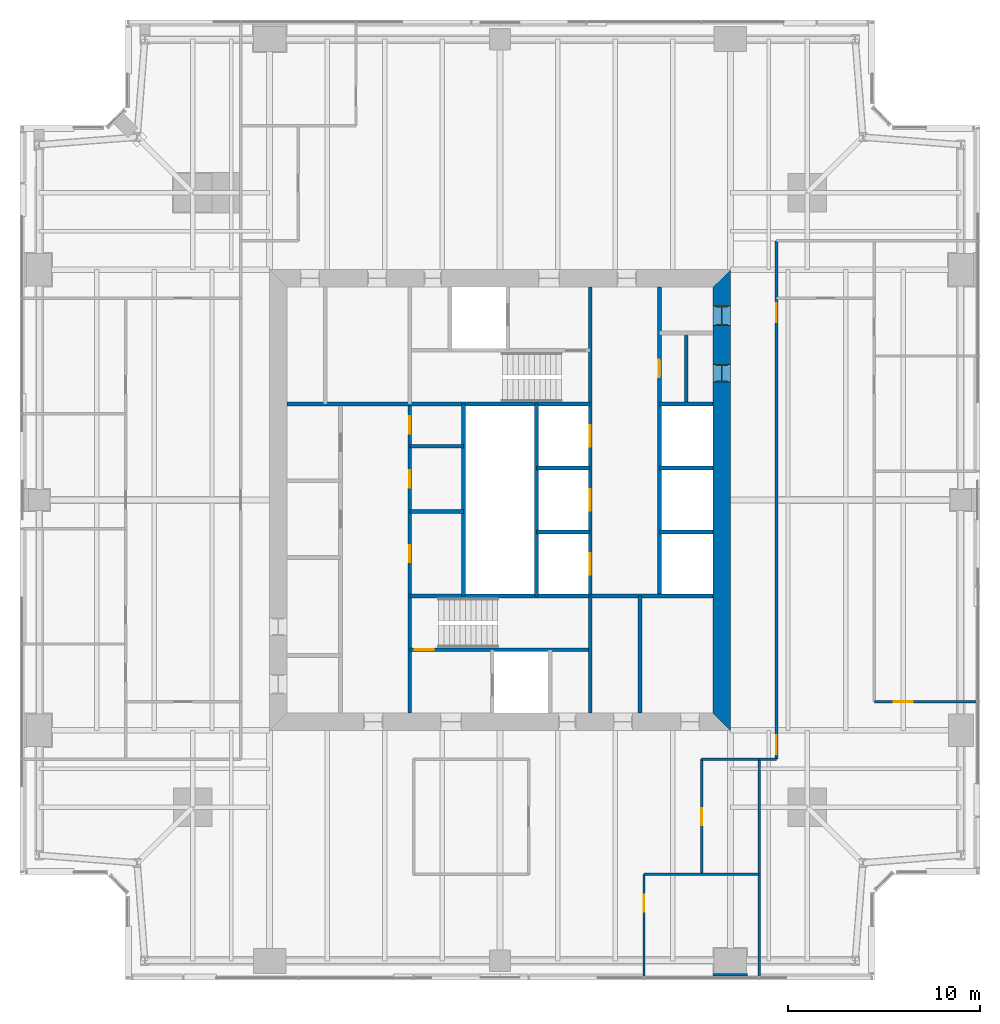
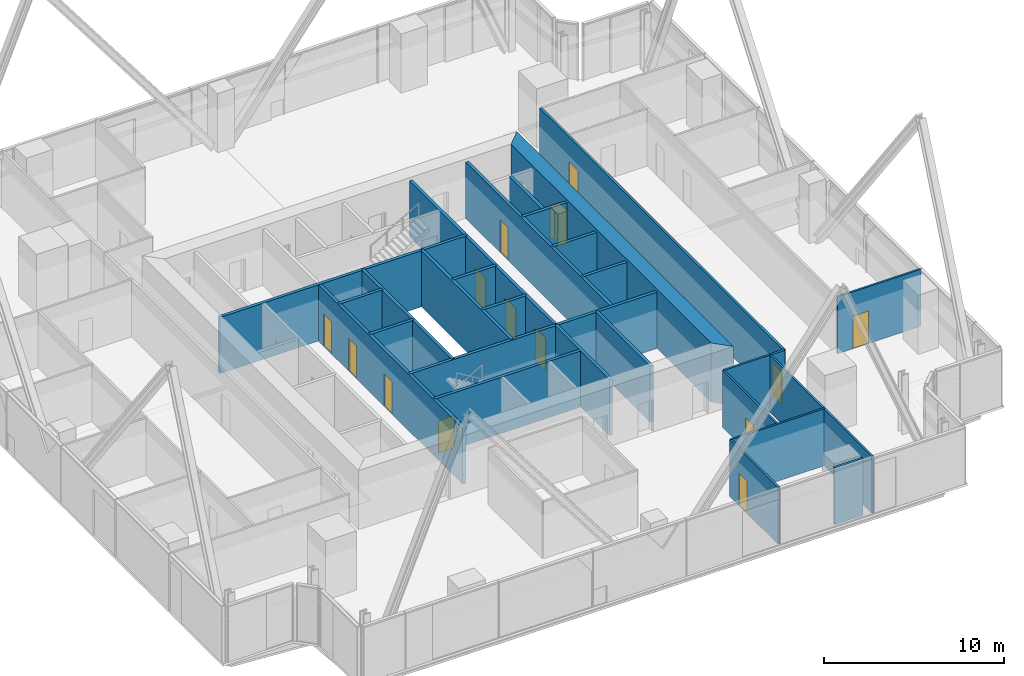
# One storey, part 10 of 14: 28 walls, 15 doors, 15 openings.
"""IFC4 building model written with IfcOpenShell, lengths in metres."""

from ifc_helpers import new_model, si_unit, direction, frame, frame_2d, origin, place, context, subcontext, project, spatial, polyline, rectangle, outline, extrude, material, layer, layer_set, type_object, element, fill, save


model = new_model("IFC4")

# Units and contexts
model_context = context("Model", 3, precision=1e-05, world=origin(), true_north=direction((0.0, 1.0)))
body_context = subcontext(model_context, "Body", "Model", "MODEL_VIEW")
ifc_project = project(units=[si_unit("LENGTHUNIT", "METRE"), si_unit("AREAUNIT", "SQUARE_METRE"), si_unit("VOLUMEUNIT", "CUBIC_METRE"), si_unit("PLANEANGLEUNIT", "RADIAN"), si_unit("MASSUNIT", "GRAM", prefix="KILO")], contexts=[model_context])

# Site, building, storey
site_placement = place(None, origin())
site = spatial("IfcSite", under=ifc_project, at=site_placement, CompositionType="ELEMENT")
building_placement = place(site_placement, origin())
building = spatial("IfcBuilding", under=site, at=building_placement, Name="Fenwick Lantern Interchange", CompositionType="ELEMENT")
storey_placement = place(building_placement, frame((0.0, 0.0, 217.800048828125)))
storey = spatial("IfcBuildingStorey", under=building, at=storey_placement, Name="L51", CompositionType="ELEMENT", Elevation=217.800048828125)

# Walls
ifc_material_1 = material(Name="Fire-rated gypsum board encasement on steel studs, 2 hour", Category="steel")
ifc_layer_1 = layer(ifc_material_1, 1.800048828125)
ifc_layer_set_1 = layer_set([ifc_layer_1], Name="COLUMN PIER 1800")
wall_type_1 = type_object("IfcWallType", Name="COLUMN PIER 1800", PredefinedType="PARTITIONING", material=ifc_layer_set_1)
wall_1_placement = place(storey_placement, frame((37.0, 0.199951171875, 0.0), z_axis=(0.0, 0.0, 1.0), x_axis=(0.0, 1.0, 0.0)))
element("IfcWall", 1, at=wall_1_placement, inside=storey, type_object=wall_type_1, Name="L51/W/PIER/CS4", PredefinedType="PARTITIONING", context=body_context, shape_type="SweptSolid", body=[
    extrude(rectangle(XDim=0.150146484375, YDim=1.800048828125, at=frame_2d((0.0751953125, 0.0))), origin(), (0.0, 0.0, 1.0), 3.849853515625),
])
ifc_material_2 = material(Name="Concrete masonry ASTM C90 Grade N", Category="masonry")
ifc_layer_2 = layer(ifc_material_2, 0.199951171875)
ifc_layer_set_2 = layer_set([ifc_layer_2], Name="Concrete masonry ASTM C90 Grade N")
wall_type_2 = type_object("IfcWallType", Name="CORE PARTITION 200", PredefinedType="PARTITIONING", material=ifc_layer_set_2)
wall_2_placement = place(storey_placement, frame((23.10009765625, 20.0, 0.0), z_axis=(0.0, 0.0, 1.0), x_axis=(0.0, 1.0, 0.0)))
element("IfcWall", 2, at=wall_2_placement, inside=storey, type_object=wall_type_2, Name="L51/W/CORES/e3", PredefinedType="PARTITIONING", context=body_context, shape_type="SweptSolid", body=[
    extrude(rectangle(XDim=10.0, YDim=0.199951171875, at=frame_2d((5.0, 0.0))), origin(), (0.0, 0.0, 1.0), 3.800048828125),
])
wall_3_placement = place(storey_placement, frame((32.300048828125, 13.89990234375, 0.0), z_axis=(0.0, 0.0, 1.0), x_axis=(0.0, 1.0, 0.0)))
element("IfcWall", 3, at=wall_3_placement, inside=storey, type_object=wall_type_2, Name="L51/W/CORES/i2", PredefinedType="PARTITIONING", context=body_context, shape_type="SweptSolid", body=[
    extrude(rectangle(XDim=6.10009765625, YDim=0.199951171875, at=frame_2d((3.050048828125, 0.0))), origin(), (0.0, 0.0, 1.0), 3.800048828125),
])
for number, where, z_axis, x_axis, name in (
    (4, (20.300048828125, 24.39990234375, 0.0), (0.0, 0.0, 1.0), (1.0, 0.0, 0.0), "L51/W/CORES/q1"),
    (5, (20.300048828125, 27.800048828125, 0.0), (0.0, 0.0, 1.0), (1.0, 0.0, 0.0), "L51/W/CORES/q2"),
):
    element("IfcWall", number, at=place(storey_placement, frame(where, z_axis=z_axis, x_axis=x_axis)), inside=storey, type_object=wall_type_2, Name=name, PredefinedType="PARTITIONING", context=body_context, shape_type="SweptSolid", body=[
        extrude(rectangle(XDim=2.800048828125, YDim=0.199951171875, at=frame_2d((1.39990234375, 0.0))), origin(), (0.0, 0.0, 1.0), 3.800048828125),
    ])

# Wall, opening, door
wall_4_placement = place(storey_placement, frame((33.300048828125, 36.10009765625, 0.0), z_axis=(0.0, 0.0, 1.0), x_axis=(0.0, -1.0, 0.0)))
wall_4 = element("IfcWall", 6, at=wall_4_placement, inside=storey, type_object=wall_type_2, Name="L51/W/COREN/a", PredefinedType="PARTITIONING", context=body_context, shape_type="SweptSolid", body=[
    extrude(rectangle(XDim=16.10009765625, YDim=0.199951171875, at=frame_2d((8.050048828125, 0.0))), origin(), (0.0, 0.0, 1.0), 3.800048828125),
])
opening_1_placement = place(wall_4_placement, frame((3.800048828125, 0.0, 0.0)))
opening_1 = element("IfcOpeningElement", 7, at=opening_1_placement, cuts=wall_4, Name="Opening L51-D021", PredefinedType="OPENING", context=body_context, shape_type="SweptSolid", body=[
    extrude(rectangle(XDim=0.89990234375, YDim=2.199951171875, at=frame_2d((0.449951171875, 1.10009765625))), frame((0.0, 0.10986328125, 0.0), z_axis=(0.0, -1.0, 0.0), x_axis=(1.0, 0.0, 0.0)), (0.0, 0.0, 1.0), 0.219970703125),
])
ifc_material_3 = material(Name="Steel door and frame", Category="steel")
door_type_1 = type_object("IfcDoorType", Name="SERVICE DOOR 900 X 2200", OperationType="SINGLE_SWING_LEFT", PredefinedType="DOOR", material=ifc_material_3)
door_1_placement = place(opening_1_placement, origin())
door_1 = element("IfcDoor", 8, at=door_1_placement, inside=storey, type_object=door_type_1, Name="Service door", OperationType="SINGLE_SWING_LEFT", OverallHeight=2.199951171875, OverallWidth=0.89990234375, PredefinedType="DOOR", context=body_context, shape_type="SweptSolid", body=[
    extrude(rectangle(XDim=0.89990234375, YDim=2.199951171875, at=frame_2d((0.449951171875, 1.10009765625))), frame((0.0, 0.02490234375, 0.0), z_axis=(0.0, -1.0, 0.0), x_axis=(1.0, 0.0, 0.0)), (0.0, 0.0, 1.0), 0.050048828125),
])
fill(opening_1, door_1)

# Walls
for number, where, z_axis, x_axis, name in (
    (9, (36.10009765625, 30.0, 0.0), (0.0, 0.0, 1.0), (-1.0, 0.0, 0.0), "L51/W/COREN/c2"),
    (10, (36.10009765625, 26.666748046875, 0.0), (0.0, 0.0, 1.0), (-1.0, 0.0, 0.0), "L51/W/COREN/d1"),
    (11, (36.10009765625, 23.333251953125, 0.0), (0.0, 0.0, 1.0), (-1.0, 0.0, 0.0), "L51/W/COREN/d2"),
    (12, (29.699951171875, 26.666748046875, 0.0), (0.0, 0.0, 1.0), (-1.0, 0.0, 0.0), "L51/W/COREN/e1"),
    (13, (29.699951171875, 23.333251953125, 0.0), (0.0, 0.0, 1.0), (-1.0, 0.0, 0.0), "L51/W/COREN/e2"),
):
    element("IfcWall", number, at=place(storey_placement, frame(where, z_axis=z_axis, x_axis=x_axis)), inside=storey, type_object=wall_type_2, Name=name, PredefinedType="PARTITIONING", context=body_context, shape_type="SweptSolid", body=[
        extrude(rectangle(XDim=2.800048828125, YDim=0.199951171875, at=frame_2d((1.39990234375, 0.0))), origin(), (0.0, 0.0, 1.0), 3.800048828125),
    ])
wall_5_placement = place(storey_placement, frame((26.89990234375, 30.0, 0.0), z_axis=(0.0, 0.0, 1.0), x_axis=(0.0, -1.0, 0.0)))
element("IfcWall", 14, at=wall_5_placement, inside=storey, type_object=wall_type_2, Name="L51/W/COREN/e3", PredefinedType="PARTITIONING", context=body_context, shape_type="SweptSolid", body=[
    extrude(rectangle(XDim=10.0, YDim=0.199951171875, at=frame_2d((5.0, 0.0))), origin(), (0.0, 0.0, 1.0), 3.800048828125),
])
wall_6_placement = place(storey_placement, frame((34.699951171875, 33.699951171875, 0.0), z_axis=(0.0, 0.0, 1.0), x_axis=(0.0, -1.0, 0.0)))
element("IfcWall", 15, at=wall_6_placement, inside=storey, type_object=wall_type_2, Name="L51/W/COREN/px", PredefinedType="PARTITIONING", context=body_context, shape_type="SweptSolid", body=[
    extrude(rectangle(XDim=3.699951171875, YDim=0.199951171875, at=frame_2d((1.85009765625, 0.0))), origin(), (0.0, 0.0, 1.0), 3.800048828125),
])

# Wall, openings, doors
ifc_material_4 = material(Name="Concrete f'c 70 MPa", Category="concrete")
ifc_layer_3 = layer(ifc_material_4, 0.89990234375)
ifc_layer_set_3 = layer_set([ifc_layer_3], Name="CORE WALL 900")
wall_type_3 = type_object("IfcWallType", Name="CORE WALL 900", PredefinedType="SHEAR", material=ifc_layer_set_3)
wall_7_placement = place(storey_placement, frame((36.550048828125, 13.89990234375, 0.0), z_axis=(0.0, 0.0, 1.0), x_axis=(0.0, 1.0, 0.0)))
wall_7 = element("IfcWall", 16, at=wall_7_placement, inside=storey, type_object=wall_type_3, Name="L51/CORE/E", PredefinedType="SHEAR", context=body_context, shape_type="SweptSolid", body=[
    extrude(outline(polyline([(-0.89990234375, -0.449951171875), (23.10009765625, -0.449951171875), (22.199951171875, 0.449951171875), (0.0, 0.449951171875), (-0.89990234375, -0.449951171875)])), origin(), (0.0, 0.0, 1.0), 4.0),
])
opening_2_placement = place(wall_7_placement, frame((20.199951171875, 0.0, 0.0)))
opening_2 = element("IfcOpeningElement", 17, at=opening_2_placement, cuts=wall_7, Name="Opening L51-D020", PredefinedType="OPENING", context=body_context, shape_type="SweptSolid", body=[
    extrude(rectangle(XDim=1.0, YDim=2.199951171875, at=frame_2d((0.5, 1.10009765625))), frame((0.0, 0.4599609375, 0.0), z_axis=(0.0, -1.0, 0.0), x_axis=(1.0, 0.0, 0.0)), (0.0, 0.0, 1.0), 0.919921875),
])
opening_3_placement = place(wall_7_placement, frame((17.25, 0.0, 0.0)))
opening_3 = element("IfcOpeningElement", 18, at=opening_3_placement, cuts=wall_7, Name="Opening L51-D022", PredefinedType="OPENING", context=body_context, shape_type="SweptSolid", body=[
    extrude(rectangle(XDim=0.89990234375, YDim=2.199951171875, at=frame_2d((0.449951171875, 1.10009765625))), frame((0.0, 0.4599609375, 0.0), z_axis=(0.0, -1.0, 0.0), x_axis=(1.0, 0.0, 0.0)), (0.0, 0.0, 1.0), 0.919921875),
])
door_type_2 = type_object("IfcDoorType", Name="SERVICE DOOR 1000 X 2200", OperationType="SINGLE_SWING_LEFT", PredefinedType="DOOR", material=ifc_material_3)
door_2_placement = place(opening_2_placement, origin())
door_2 = element("IfcDoor", 19, at=door_2_placement, inside=storey, type_object=door_type_2, Name="Service door", OperationType="SINGLE_SWING_LEFT", OverallHeight=2.199951171875, OverallWidth=1.0, PredefinedType="DOOR", context=body_context, shape_type="SweptSolid", body=[
    extrude(rectangle(XDim=1.0, YDim=2.199951171875, at=frame_2d((0.5, 1.10009765625))), frame((0.0, 0.02490234375, 0.0), z_axis=(0.0, -1.0, 0.0), x_axis=(1.0, 0.0, 0.0)), (0.0, 0.0, 1.0), 0.050048828125),
    extrude(outline(polyline([(0.0, 0.0), (0.0400390625, 0.0), (0.0400390625, 2.159912109375), (0.9599609375, 2.159912109375), (0.9599609375, 0.0), (1.0, 0.0), (1.0, 2.199951171875), (0.0, 2.199951171875), (0.0, 0.0)])), frame((0.0, 0.300048828125, 0.0), z_axis=(0.0, -1.0, 0.0), x_axis=(1.0, 0.0, 0.0)), (0.0, 0.0, 1.0), 0.60009765625),
])
fill(opening_2, door_2)
door_3_placement = place(opening_3_placement, origin())
door_3 = element("IfcDoor", 20, at=door_3_placement, inside=storey, type_object=door_type_1, Name="Service door", OperationType="SINGLE_SWING_LEFT", OverallHeight=2.199951171875, OverallWidth=0.89990234375, PredefinedType="DOOR", context=body_context, shape_type="SweptSolid", body=[
    extrude(rectangle(XDim=0.89990234375, YDim=2.199951171875, at=frame_2d((0.449951171875, 1.10009765625))), frame((0.0, 0.02490234375, 0.0), z_axis=(0.0, -1.0, 0.0), x_axis=(1.0, 0.0, 0.0)), (0.0, 0.0, 1.0), 0.050048828125),
    extrude(outline(polyline([(0.0, 0.0), (0.0400390625, 0.0), (0.0400390625, 2.159912109375), (0.85986328125, 2.159912109375), (0.85986328125, 0.0), (0.89990234375, 0.0), (0.89990234375, 2.199951171875), (0.0, 2.199951171875), (0.0, 0.0)])), frame((0.0, 0.300048828125, 0.0), z_axis=(0.0, -1.0, 0.0), x_axis=(1.0, 0.0, 0.0)), (0.0, 0.0, 1.0), 0.60009765625),
])
fill(opening_3, door_3)

# Wall
ifc_material_5 = material(Name="Gypsum board on steel studs, 1 hour", Category="steel")
ifc_layer_4 = layer(ifc_material_5, 0.14990234375)
ifc_layer_set_4 = layer_set([ifc_layer_4], Name="CORRIDOR WALL 150")
wall_type_4 = type_object("IfcWallType", Name="CORRIDOR WALL 150", PredefinedType="PARTITIONING", material=ifc_layer_set_4)
wall_8_placement = place(storey_placement, frame((38.5, 11.5, 0.0), z_axis=(0.0, 0.0, 1.0), x_axis=(1.0, 0.0, 0.0)))
element("IfcWall", 21, at=wall_8_placement, inside=storey, type_object=wall_type_4, Name="L51/W/OFF/E/CWJ", PredefinedType="PARTITIONING", context=body_context, shape_type="SweptSolid", body=[
    extrude(rectangle(XDim=0.89990234375, YDim=0.14990234375, at=frame_2d((0.449951171875, 0.0))), origin(), (0.0, 0.0, 1.0), 3.849853515625),
])

# Wall, openings, doors
wall_9_placement = place(storey_placement, frame((39.39990234375, 11.5, 0.0), z_axis=(0.0, 0.0, 1.0), x_axis=(0.0, 1.0, 0.0)))
wall_9 = element("IfcWall", 22, at=wall_9_placement, inside=storey, type_object=wall_type_4, Name="L51/W/OFF/E/CW2", PredefinedType="PARTITIONING", context=body_context, shape_type="SweptSolid", body=[
    extrude(rectangle(XDim=27.0, YDim=0.14990234375, at=frame_2d((13.5, 0.0))), origin(), (0.0, 0.0, 1.0), 3.849853515625),
])
opening_4_placement = place(wall_9_placement, frame((0.25, 0.0, 0.0)))
opening_4 = element("IfcOpeningElement", 23, at=opening_4_placement, cuts=wall_9, Name="Opening L51-D026", PredefinedType="OPENING", context=body_context, shape_type="SweptSolid", body=[
    extrude(rectangle(XDim=1.0, YDim=2.199951171875, at=frame_2d((0.5, 1.10009765625))), frame((0.0, 0.0849609375, 0.0), z_axis=(0.0, -1.0, 0.0), x_axis=(1.0, 0.0, 0.0)), (0.0, 0.0, 1.0), 0.169921875),
])
opening_5_placement = place(wall_9_placement, frame((22.75, 0.0, 0.0)))
opening_5 = element("IfcOpeningElement", 24, at=opening_5_placement, cuts=wall_9, Name="Opening L51-D027", PredefinedType="OPENING", context=body_context, shape_type="SweptSolid", body=[
    extrude(rectangle(XDim=1.0, YDim=2.199951171875, at=frame_2d((0.5, 1.10009765625))), frame((0.0, 0.0849609375, 0.0), z_axis=(0.0, -1.0, 0.0), x_axis=(1.0, 0.0, 0.0)), (0.0, 0.0, 1.0), 0.169921875),
])
door_type_3 = type_object("IfcDoorType", Name="SUITE ENTRANCE DOOR 1000 X 2200", OperationType="SINGLE_SWING_LEFT", PredefinedType="DOOR", material=ifc_material_3)
door_4_placement = place(opening_4_placement, origin())
door_4 = element("IfcDoor", 25, at=door_4_placement, inside=storey, type_object=door_type_3, Name="Suite entrance door", OperationType="SINGLE_SWING_LEFT", OverallHeight=2.199951171875, OverallWidth=1.0, PredefinedType="DOOR", context=body_context, shape_type="SweptSolid", body=[
    extrude(rectangle(XDim=1.0, YDim=2.199951171875, at=frame_2d((0.5, 1.10009765625))), frame((0.0, 0.02490234375, 0.0), z_axis=(0.0, -1.0, 0.0), x_axis=(1.0, 0.0, 0.0)), (0.0, 0.0, 1.0), 0.050048828125),
])
fill(opening_4, door_4)
door_5_placement = place(opening_5_placement, origin())
door_5 = element("IfcDoor", 26, at=door_5_placement, inside=storey, type_object=door_type_3, Name="Suite entrance door", OperationType="SINGLE_SWING_RIGHT", OverallHeight=2.199951171875, OverallWidth=1.0, PredefinedType="DOOR", context=body_context, shape_type="SweptSolid", body=[
    extrude(rectangle(XDim=1.0, YDim=2.199951171875, at=frame_2d((0.5, 1.10009765625))), frame((0.0, 0.02490234375, 0.0), z_axis=(0.0, -1.0, 0.0), x_axis=(1.0, 0.0, 0.0)), (0.0, 0.0, 1.0), 0.050048828125),
])
fill(opening_5, door_5)

# Wall, opening, door
ifc_material_6 = material(Name="Gypsum board on steel studs, acoustic", Category="steel")
ifc_layer_5 = layer(ifc_material_6, 0.125)
ifc_layer_set_5 = layer_set([ifc_layer_5], Name="OFFICE PARTITION 125")
wall_type_5 = type_object("IfcWallType", Name="OFFICE PARTITION 125", PredefinedType="PARTITIONING", material=ifc_layer_set_5)
wall_10_placement = place(storey_placement, frame((32.5, 0.14990234375, 0.0), z_axis=(0.0, 0.0, 1.0), x_axis=(0.0, 1.0, 0.0)))
wall_10 = element("IfcWall", 27, at=wall_10_placement, inside=storey, type_object=wall_type_5, Name="L51/W/OFF/S/X325-1", PredefinedType="PARTITIONING", context=body_context, shape_type="SweptSolid", body=[
    extrude(rectangle(XDim=5.35009765625, YDim=0.125, at=frame_2d((2.675048828125, 0.0))), origin(), (0.0, 0.0, 1.0), 3.849853515625),
])
opening_6_placement = place(wall_10_placement, frame((3.39990234375, 0.0, 0.0)))
opening_6 = element("IfcOpeningElement", 28, at=opening_6_placement, cuts=wall_10, Name="Opening L51-D024", PredefinedType="OPENING", context=body_context, shape_type="SweptSolid", body=[
    extrude(rectangle(XDim=0.89990234375, YDim=2.199951171875, at=frame_2d((0.449951171875, 1.10009765625))), frame((0.0, 0.072509765625, 0.0), z_axis=(0.0, -1.0, 0.0), x_axis=(1.0, 0.0, 0.0)), (0.0, 0.0, 1.0), 0.14501953125),
])
ifc_material_7 = material(Name="Hardwood door and steel frame", Category="steel")
door_type_4 = type_object("IfcDoorType", Name="OFFICE DOOR 900 X 2200", OperationType="SINGLE_SWING_LEFT", PredefinedType="DOOR", material=ifc_material_7)
door_6_placement = place(opening_6_placement, frame((0.89990234375, 0.0, 0.0), z_axis=(0.0, 0.0, 1.0), x_axis=(-1.0, 0.0, 0.0)))
door_6 = element("IfcDoor", 29, at=door_6_placement, inside=storey, type_object=door_type_4, Name="Office door", OperationType="SINGLE_SWING_LEFT", OverallHeight=2.199951171875, OverallWidth=0.89990234375, PredefinedType="DOOR", context=body_context, shape_type="SweptSolid", body=[
    extrude(rectangle(XDim=0.89990234375, YDim=2.199951171875, at=frame_2d((0.449951171875, 1.10009765625))), frame((0.0, 0.02490234375, 0.0), z_axis=(0.0, -1.0, 0.0), x_axis=(1.0, 0.0, 0.0)), (0.0, 0.0, 1.0), 0.050048828125),
])
fill(opening_6, door_6)

wall_11_placement = place(storey_placement, frame((35.5, 5.5, 0.0), z_axis=(0.0, 0.0, 1.0), x_axis=(0.0, 1.0, 0.0)))
wall_11 = element("IfcWall", 30, at=wall_11_placement, inside=storey, type_object=wall_type_5, Name="L51/W/OFF/S/X355-1", PredefinedType="PARTITIONING", context=body_context, shape_type="SweptSolid", body=[
    extrude(rectangle(XDim=6.0, YDim=0.125, at=frame_2d((3.0, 0.0))), origin(), (0.0, 0.0, 1.0), 3.849853515625),
])
opening_7_placement = place(wall_11_placement, frame((2.550048828125, 0.0, 0.0)))
opening_7 = element("IfcOpeningElement", 31, at=opening_7_placement, cuts=wall_11, Name="Opening L51-D025", PredefinedType="OPENING", context=body_context, shape_type="SweptSolid", body=[
    extrude(rectangle(XDim=0.89990234375, YDim=2.199951171875, at=frame_2d((0.449951171875, 1.10009765625))), frame((0.0, 0.072509765625, 0.0), z_axis=(0.0, -1.0, 0.0), x_axis=(1.0, 0.0, 0.0)), (0.0, 0.0, 1.0), 0.14501953125),
])
door_7_placement = place(opening_7_placement, frame((0.89990234375, 0.0, 0.0), z_axis=(0.0, 0.0, 1.0), x_axis=(-1.0, 0.0, 0.0)))
door_7 = element("IfcDoor", 32, at=door_7_placement, inside=storey, type_object=door_type_4, Name="Office door", OperationType="SINGLE_SWING_RIGHT", OverallHeight=2.199951171875, OverallWidth=0.89990234375, PredefinedType="DOOR", context=body_context, shape_type="SweptSolid", body=[
    extrude(rectangle(XDim=0.89990234375, YDim=2.199951171875, at=frame_2d((0.449951171875, 1.10009765625))), frame((0.0, 0.02490234375, 0.0), z_axis=(0.0, -1.0, 0.0), x_axis=(1.0, 0.0, 0.0)), (0.0, 0.0, 1.0), 0.050048828125),
])
fill(opening_7, door_7)

# Walls
wall_12_placement = place(storey_placement, frame((32.5, 5.5, 0.0), z_axis=(0.0, 0.0, 1.0), x_axis=(1.0, 0.0, 0.0)))
element("IfcWall", 33, at=wall_12_placement, inside=storey, type_object=wall_type_5, Name="L51/W/OFF/S/Y55-2", PredefinedType="PARTITIONING", context=body_context, shape_type="SweptSolid", body=[
    extrude(rectangle(XDim=6.0, YDim=0.125, at=frame_2d((3.0, 0.0))), origin(), (0.0, 0.0, 1.0), 3.849853515625),
])
wall_13_placement = place(storey_placement, frame((35.5, 11.5, 0.0), z_axis=(0.0, 0.0, 1.0), x_axis=(1.0, 0.0, 0.0)))
element("IfcWall", 34, at=wall_13_placement, inside=storey, type_object=wall_type_5, Name="L51/W/OFF/S/CWS2", PredefinedType="PARTITIONING", context=body_context, shape_type="SweptSolid", body=[
    extrude(rectangle(XDim=3.0, YDim=0.125, at=frame_2d((1.5, 0.0))), origin(), (0.0, 0.0, 1.0), 3.849853515625),
])
wall_14_placement = place(storey_placement, frame((38.5, 0.14990234375, 0.0), z_axis=(0.0, 0.0, 1.0), x_axis=(0.0, 1.0, 0.0)))
element("IfcWall", 35, at=wall_14_placement, inside=storey, type_object=wall_type_5, Name="L51/W/OFF/E/BACK", PredefinedType="PARTITIONING", context=body_context, shape_type="SweptSolid", body=[
    extrude(rectangle(XDim=11.35009765625, YDim=0.125, at=frame_2d((5.675048828125, 0.0))), origin(), (0.0, 0.0, 1.0), 3.849853515625),
])

# Wall, opening, door
wall_15_placement = place(storey_placement, frame((49.85009765625, 14.5, 0.0), z_axis=(0.0, 0.0, 1.0), x_axis=(-1.0, 0.0, 0.0)))
wall_15 = element("IfcWall", 36, at=wall_15_placement, inside=storey, type_object=wall_type_5, Name="L51/W/OFF/E/X145-1", PredefinedType="PARTITIONING", context=body_context, shape_type="SweptSolid", body=[
    extrude(rectangle(XDim=5.35009765625, YDim=0.125, at=frame_2d((2.675048828125, 0.0))), origin(), (0.0, 0.0, 1.0), 3.849853515625),
])
opening_8_placement = place(wall_15_placement, frame((3.35009765625, 0.0, 0.0)))
opening_8 = element("IfcOpeningElement", 37, at=opening_8_placement, cuts=wall_15, Name="Opening L51-D028", PredefinedType="OPENING", context=body_context, shape_type="SweptSolid", body=[
    extrude(rectangle(XDim=1.0, YDim=2.199951171875, at=frame_2d((0.5, 1.10009765625))), frame((0.0, 0.072509765625, 0.0), z_axis=(0.0, -1.0, 0.0), x_axis=(1.0, 0.0, 0.0)), (0.0, 0.0, 1.0), 0.14501953125),
])
door_type_5 = type_object("IfcDoorType", Name="MEETING ROOM DOOR 1000 X 2200", OperationType="SINGLE_SWING_LEFT", PredefinedType="DOOR", material=ifc_material_7)
door_8_placement = place(opening_8_placement, frame((1.0, 0.0, 0.0), z_axis=(0.0, 0.0, 1.0), x_axis=(-1.0, 0.0, 0.0)))
door_8 = element("IfcDoor", 38, at=door_8_placement, inside=storey, type_object=door_type_5, Name="Meeting room door", OperationType="SINGLE_SWING_LEFT", OverallHeight=2.199951171875, OverallWidth=1.0, PredefinedType="DOOR", context=body_context, shape_type="SweptSolid", body=[
    extrude(rectangle(XDim=1.0, YDim=2.199951171875, at=frame_2d((0.5, 1.10009765625))), frame((0.0, 0.02490234375, 0.0), z_axis=(0.0, -1.0, 0.0), x_axis=(1.0, 0.0, 0.0)), (0.0, 0.0, 1.0), 0.050048828125),
])
fill(opening_8, door_8)

# Wall, openings, doors
ifc_material_8 = material(Name="Concrete f'c 45 MPa", Category="concrete")
ifc_layer_6 = layer(ifc_material_8, 0.199951171875)
ifc_layer_set_6 = layer_set([ifc_layer_6], Name="STAIR CORE WALL 200")
wall_type_6 = type_object("IfcWallType", Name="STAIR CORE WALL 200", PredefinedType="SOLIDWALL", material=ifc_layer_set_6)
wall_16_placement = place(storey_placement, frame((20.300048828125, 13.89990234375, 0.0), z_axis=(0.0, 0.0, 1.0), x_axis=(0.0, 1.0, 0.0)))
wall_16 = element("IfcWall", 39, at=wall_16_placement, inside=storey, type_object=wall_type_6, Name="L51/W/CORES/b", PredefinedType="SOLIDWALL", context=body_context, shape_type="SweptSolid", body=[
    extrude(rectangle(XDim=16.10009765625, YDim=0.199951171875, at=frame_2d((8.050048828125, 0.0))), origin(), (0.0, 0.0, 1.0), 3.800048828125),
])
opening_9_placement = place(wall_16_placement, frame((7.85009765625, 0.0, 0.0)))
opening_9 = element("IfcOpeningElement", 40, at=opening_9_placement, cuts=wall_16, Name="Opening L51-D011", PredefinedType="OPENING", context=body_context, shape_type="SweptSolid", body=[
    extrude(rectangle(XDim=0.89990234375, YDim=2.199951171875, at=frame_2d((0.449951171875, 1.10009765625))), frame((0.0, 0.10986328125, 0.0), z_axis=(0.0, -1.0, 0.0), x_axis=(1.0, 0.0, 0.0)), (0.0, 0.0, 1.0), 0.219970703125),
])
opening_10_placement = place(wall_16_placement, frame((11.75, 0.0, 0.0)))
opening_10 = element("IfcOpeningElement", 41, at=opening_10_placement, cuts=wall_16, Name="Opening L51-D012", PredefinedType="OPENING", context=body_context, shape_type="SweptSolid", body=[
    extrude(rectangle(XDim=0.89990234375, YDim=2.199951171875, at=frame_2d((0.449951171875, 1.10009765625))), frame((0.0, 0.10986328125, 0.0), z_axis=(0.0, -1.0, 0.0), x_axis=(1.0, 0.0, 0.0)), (0.0, 0.0, 1.0), 0.219970703125),
])
opening_11_placement = place(wall_16_placement, frame((14.550048828125, 0.0, 0.0)))
opening_11 = element("IfcOpeningElement", 42, at=opening_11_placement, cuts=wall_16, Name="Opening L51-D013", PredefinedType="OPENING", context=body_context, shape_type="SweptSolid", body=[
    extrude(rectangle(XDim=0.89990234375, YDim=2.199951171875, at=frame_2d((0.449951171875, 1.10009765625))), frame((0.0, 0.10986328125, 0.0), z_axis=(0.0, -1.0, 0.0), x_axis=(1.0, 0.0, 0.0)), (0.0, 0.0, 1.0), 0.219970703125),
])
door_9_placement = place(opening_9_placement, frame((0.89990234375, 0.0, 0.0), z_axis=(0.0, 0.0, 1.0), x_axis=(-1.0, 0.0, 0.0)))
door_9 = element("IfcDoor", 43, at=door_9_placement, inside=storey, type_object=door_type_1, Name="Service door", OperationType="SINGLE_SWING_RIGHT", OverallHeight=2.199951171875, OverallWidth=0.89990234375, PredefinedType="DOOR", context=body_context, shape_type="SweptSolid", body=[
    extrude(rectangle(XDim=0.89990234375, YDim=2.199951171875, at=frame_2d((0.449951171875, 1.10009765625))), frame((0.0, 0.02490234375, 0.0), z_axis=(0.0, -1.0, 0.0), x_axis=(1.0, 0.0, 0.0)), (0.0, 0.0, 1.0), 0.050048828125),
])
fill(opening_9, door_9)
door_10_placement = place(opening_10_placement, frame((0.89990234375, 0.0, 0.0), z_axis=(0.0, 0.0, 1.0), x_axis=(-1.0, 0.0, 0.0)))
door_10 = element("IfcDoor", 44, at=door_10_placement, inside=storey, type_object=door_type_1, Name="Service door", OperationType="SINGLE_SWING_RIGHT", OverallHeight=2.199951171875, OverallWidth=0.89990234375, PredefinedType="DOOR", context=body_context, shape_type="SweptSolid", body=[
    extrude(rectangle(XDim=0.89990234375, YDim=2.199951171875, at=frame_2d((0.449951171875, 1.10009765625))), frame((0.0, 0.02490234375, 0.0), z_axis=(0.0, -1.0, 0.0), x_axis=(1.0, 0.0, 0.0)), (0.0, 0.0, 1.0), 0.050048828125),
])
fill(opening_10, door_10)
door_11_placement = place(opening_11_placement, frame((0.89990234375, 0.0, 0.0), z_axis=(0.0, 0.0, 1.0), x_axis=(-1.0, 0.0, 0.0)))
door_11 = element("IfcDoor", 45, at=door_11_placement, inside=storey, type_object=door_type_1, Name="Service door", OperationType="SINGLE_SWING_RIGHT", OverallHeight=2.199951171875, OverallWidth=0.89990234375, PredefinedType="DOOR", context=body_context, shape_type="SweptSolid", body=[
    extrude(rectangle(XDim=0.89990234375, YDim=2.199951171875, at=frame_2d((0.449951171875, 1.10009765625))), frame((0.0, 0.02490234375, 0.0), z_axis=(0.0, -1.0, 0.0), x_axis=(1.0, 0.0, 0.0)), (0.0, 0.0, 1.0), 0.050048828125),
])
fill(opening_11, door_11)

# Wall, opening, door
wall_17_placement = place(storey_placement, frame((20.300048828125, 17.199951171875, 0.0), z_axis=(0.0, 0.0, 1.0), x_axis=(1.0, 0.0, 0.0)))
wall_17 = element("IfcWall", 46, at=wall_17_placement, inside=storey, type_object=wall_type_6, Name="L51/W/CORES/g1", PredefinedType="SOLIDWALL", context=body_context, shape_type="SweptSolid", body=[
    extrude(rectangle(XDim=9.39990234375, YDim=0.199951171875, at=frame_2d((4.699951171875, 0.0))), origin(), (0.0, 0.0, 1.0), 3.800048828125),
])
opening_12_placement = place(wall_17_placement, frame((0.25, 0.0, 0.0)))
opening_12 = element("IfcOpeningElement", 47, at=opening_12_placement, cuts=wall_17, Name="Opening L51-D003", PredefinedType="OPENING", context=body_context, shape_type="SweptSolid", body=[
    extrude(rectangle(XDim=1.0, YDim=2.199951171875, at=frame_2d((0.5, 1.10009765625))), frame((0.0, 0.10986328125, 0.0), z_axis=(0.0, -1.0, 0.0), x_axis=(1.0, 0.0, 0.0)), (0.0, 0.0, 1.0), 0.219970703125),
])
door_type_6 = type_object("IfcDoorType", Name="STAIR DOOR 1000 X 2200", OperationType="SINGLE_SWING_LEFT", PredefinedType="DOOR", material=ifc_material_3)
door_12_placement = place(opening_12_placement, origin())
door_12 = element("IfcDoor", 48, at=door_12_placement, inside=storey, type_object=door_type_6, Name="Stair door", OperationType="SINGLE_SWING_LEFT", OverallHeight=2.199951171875, OverallWidth=1.0, PredefinedType="DOOR", context=body_context, shape_type="SweptSolid", body=[
    extrude(rectangle(XDim=1.0, YDim=2.199951171875, at=frame_2d((0.5, 1.10009765625))), frame((0.0, 0.02490234375, 0.0), z_axis=(0.0, -1.0, 0.0), x_axis=(1.0, 0.0, 0.0)), (0.0, 0.0, 1.0), 0.050048828125),
])
fill(opening_12, door_12)

# Walls
wall_18_placement = place(storey_placement, frame((20.300048828125, 20.0, 0.0), z_axis=(0.0, 0.0, 1.0), x_axis=(1.0, 0.0, 0.0)))
element("IfcWall", 49, at=wall_18_placement, inside=storey, type_object=wall_type_6, Name="L51/W/CORES/g2", PredefinedType="SOLIDWALL", context=body_context, shape_type="SweptSolid", body=[
    extrude(rectangle(XDim=15.800048828125, YDim=0.199951171875, at=frame_2d((7.89990234375, 0.0))), origin(), (0.0, 0.0, 1.0), 3.800048828125),
])
wall_19_placement = place(storey_placement, frame((29.699951171875, 13.89990234375, 0.0), z_axis=(0.0, 0.0, 1.0), x_axis=(0.0, 1.0, 0.0)))
element("IfcWall", 50, at=wall_19_placement, inside=storey, type_object=wall_type_6, Name="L51/W/CORES/i1", PredefinedType="SOLIDWALL", context=body_context, shape_type="SweptSolid", body=[
    extrude(rectangle(XDim=6.10009765625, YDim=0.199951171875, at=frame_2d((3.050048828125, 0.0))), origin(), (0.0, 0.0, 1.0), 3.800048828125),
])

# Wall, openings, doors
wall_20_placement = place(storey_placement, frame((29.699951171875, 36.10009765625, 0.0), z_axis=(0.0, 0.0, 1.0), x_axis=(0.0, -1.0, 0.0)))
wall_20 = element("IfcWall", 51, at=wall_20_placement, inside=storey, type_object=wall_type_6, Name="L51/W/COREN/b", PredefinedType="SOLIDWALL", context=body_context, shape_type="SweptSolid", body=[
    extrude(rectangle(XDim=16.10009765625, YDim=0.199951171875, at=frame_2d((8.050048828125, 0.0))), origin(), (0.0, 0.0, 1.0), 3.800048828125),
])
opening_13_placement = place(wall_20_placement, frame((7.216552734375, 0.0, 0.0)))
opening_13 = element("IfcOpeningElement", 52, at=opening_13_placement, cuts=wall_20, Name="Opening LD-E2-1", PredefinedType="OPENING", context=body_context, shape_type="SweptSolid", body=[
    extrude(rectangle(XDim=1.10009765625, YDim=2.199951171875, at=frame_2d((0.550048828125, 1.10009765625))), frame((0.0, 0.10986328125, 0.0), z_axis=(0.0, -1.0, 0.0), x_axis=(1.0, 0.0, 0.0)), (0.0, 0.0, 1.0), 0.219970703125),
])
opening_14_placement = place(wall_20_placement, frame((10.550048828125, 0.0, 0.0)))
opening_14 = element("IfcOpeningElement", 53, at=opening_14_placement, cuts=wall_20, Name="Opening LD-E2-2", PredefinedType="OPENING", context=body_context, shape_type="SweptSolid", body=[
    extrude(rectangle(XDim=1.10009765625, YDim=2.199951171875, at=frame_2d((0.550048828125, 1.10009765625))), frame((0.0, 0.10986328125, 0.0), z_axis=(0.0, -1.0, 0.0), x_axis=(1.0, 0.0, 0.0)), (0.0, 0.0, 1.0), 0.219970703125),
])
opening_15_placement = place(wall_20_placement, frame((13.88330078125, 0.0, 0.0)))
opening_15 = element("IfcOpeningElement", 54, at=opening_15_placement, cuts=wall_20, Name="Opening LD-E2-3", PredefinedType="OPENING", context=body_context, shape_type="SweptSolid", body=[
    extrude(rectangle(XDim=1.10009765625, YDim=2.199951171875, at=frame_2d((0.550048828125, 1.10009765625))), frame((0.0, 0.10986328125, 0.0), z_axis=(0.0, -1.0, 0.0), x_axis=(1.0, 0.0, 0.0)), (0.0, 0.0, 1.0), 0.219970703125),
])
door_type_7 = type_object("IfcDoorType", Name="LIFT LANDING DOOR 1100 X 2200", OperationType="DOUBLE_DOOR_SLIDING", PredefinedType="DOOR", material=ifc_material_3)
door_13_placement = place(opening_13_placement, origin())
door_13 = element("IfcDoor", 55, at=door_13_placement, inside=storey, type_object=door_type_7, Name="Lift landing door E2-1", OperationType="DOUBLE_DOOR_SLIDING", OverallHeight=2.199951171875, OverallWidth=1.10009765625, PredefinedType="DOOR", context=body_context, shape_type="SweptSolid", body=[
    extrude(rectangle(XDim=1.10009765625, YDim=2.199951171875, at=frame_2d((0.550048828125, 1.10009765625))), frame((0.0, 0.02490234375, 0.0), z_axis=(0.0, -1.0, 0.0), x_axis=(1.0, 0.0, 0.0)), (0.0, 0.0, 1.0), 0.050048828125),
])
fill(opening_13, door_13)
door_14_placement = place(opening_14_placement, origin())
door_14 = element("IfcDoor", 56, at=door_14_placement, inside=storey, type_object=door_type_7, Name="Lift landing door E2-2", OperationType="DOUBLE_DOOR_SLIDING", OverallHeight=2.199951171875, OverallWidth=1.10009765625, PredefinedType="DOOR", context=body_context, shape_type="SweptSolid", body=[
    extrude(rectangle(XDim=1.10009765625, YDim=2.199951171875, at=frame_2d((0.550048828125, 1.10009765625))), frame((0.0, 0.02490234375, 0.0), z_axis=(0.0, -1.0, 0.0), x_axis=(1.0, 0.0, 0.0)), (0.0, 0.0, 1.0), 0.050048828125),
])
fill(opening_14, door_14)
door_15_placement = place(opening_15_placement, origin())
door_15 = element("IfcDoor", 57, at=door_15_placement, inside=storey, type_object=door_type_7, Name="Lift landing door E2-3", OperationType="DOUBLE_DOOR_SLIDING", OverallHeight=2.199951171875, OverallWidth=1.10009765625, PredefinedType="DOOR", context=body_context, shape_type="SweptSolid", body=[
    extrude(rectangle(XDim=1.10009765625, YDim=2.199951171875, at=frame_2d((0.550048828125, 1.10009765625))), frame((0.0, 0.02490234375, 0.0), z_axis=(0.0, -1.0, 0.0), x_axis=(1.0, 0.0, 0.0)), (0.0, 0.0, 1.0), 0.050048828125),
])
fill(opening_15, door_15)

# Wall
wall_21_placement = place(storey_placement, frame((29.699951171875, 30.0, 0.0), z_axis=(0.0, 0.0, 1.0), x_axis=(-1.0, 0.0, 0.0)))
element("IfcWall", 58, at=wall_21_placement, inside=storey, type_object=wall_type_6, Name="L51/W/COREN/g2", PredefinedType="SOLIDWALL", context=body_context, shape_type="SweptSolid", body=[
    extrude(rectangle(XDim=15.800048828125, YDim=0.199951171875, at=frame_2d((7.89990234375, 0.0))), origin(), (0.0, 0.0, 1.0), 3.800048828125),
])

save(model, "model.ifc")
